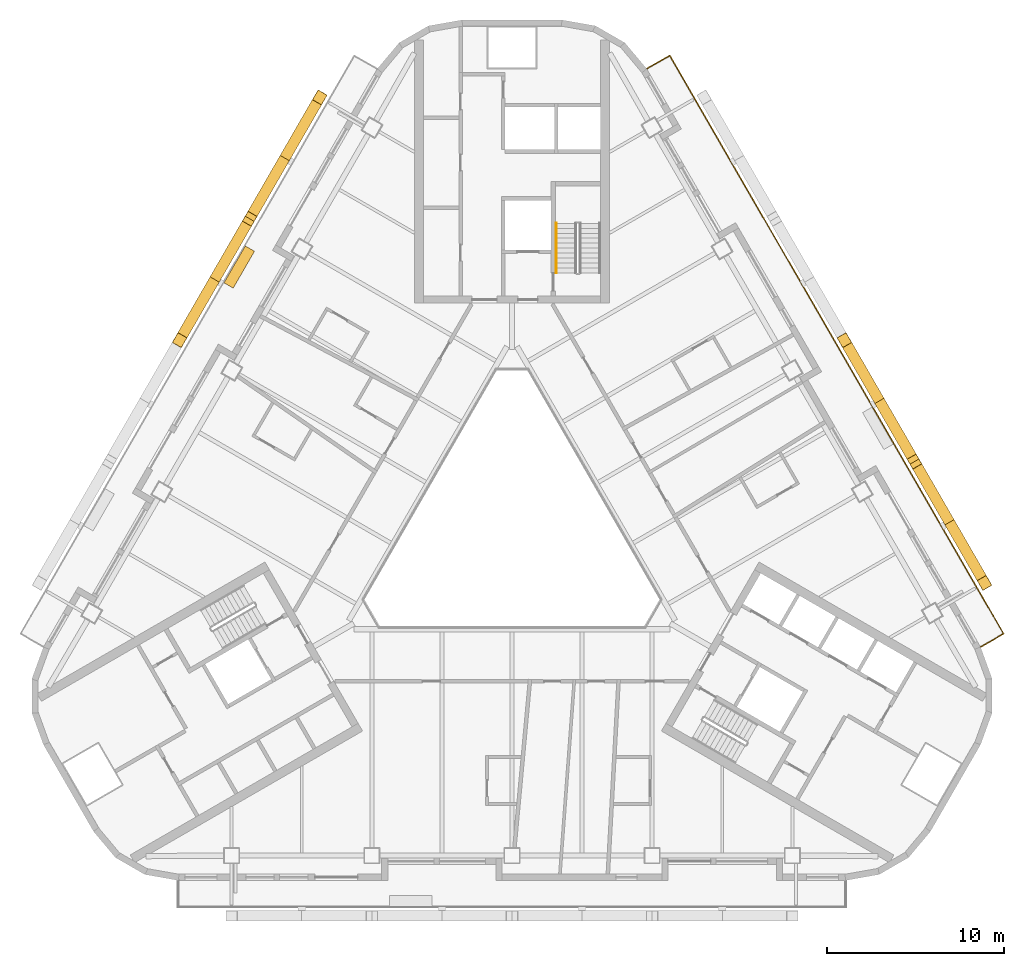
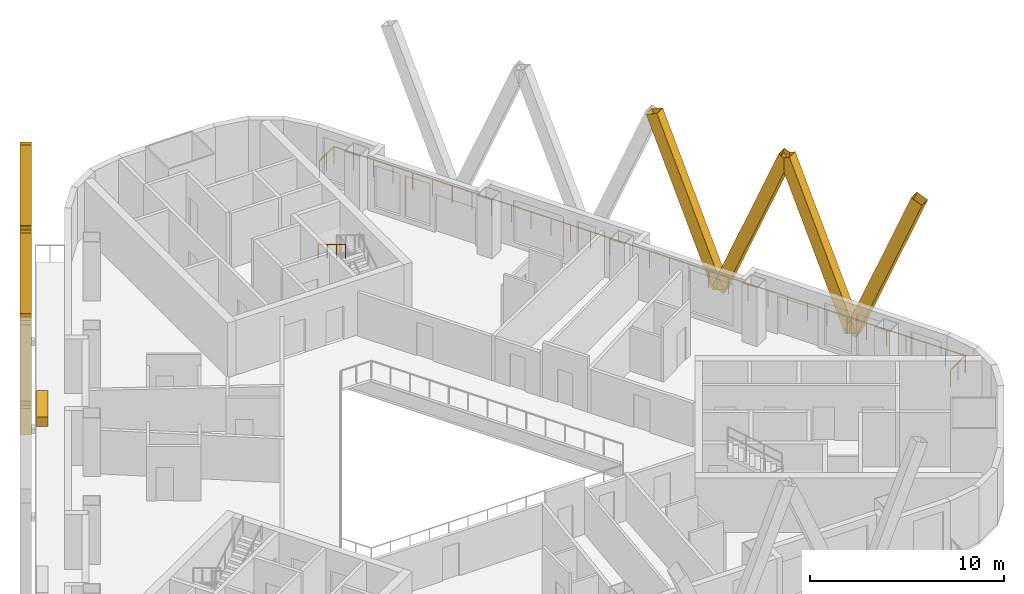
# One storey, part 12 of 13: 8 shading devices, 2 railings, 1 covering.
"""IFC4 building model written with IfcOpenShell, lengths in metres."""

import ifcopenshell
import ifcopenshell.guid

model = None  # the IFC model being written
_history = None  # IfcOwnerHistory: only IFC2X3 demands one
_inside = {}  # id of a spatial element -> (the spatial element, [elements in it])
_under = {}  # id of a project, library or spatial element -> (it, [spatial elements below it])
_declared = {}  # id of a project -> (the project, [libraries it declares])
_typed = {}  # id of a type object -> (the type object, [elements of that type])
_made_of = {}  # id of a material, layer set ... -> (it, [elements and type objects made of it])


def new_model(schema):
    """Start an empty IFC model of exactly this schema.

    Asked for "IFC4X3", IfcOpenShell would pick the latest addendum, in which some entities
    have other attributes; the version numbers below select the first issue.
    IFC2X3 requires an IfcOwnerHistory on every rooted entity: one is made here for all.
    """
    global model, _history
    if schema == "IFC4X3":
        model = ifcopenshell.file(schema_version=(4, 3, 0, 0))
    else:
        model = ifcopenshell.file(schema=schema)
    _inside.clear()
    _under.clear()
    _declared.clear()
    _typed.clear()
    _made_of.clear()
    _history = None
    if model.schema == "IFC2X3":
        org = make("IfcOrganization", Name="unknown")
        user = make(
            "IfcPersonAndOrganization",
            ThePerson=make("IfcPerson", FamilyName="unknown"),
            TheOrganization=org,
        )
        app = make(
            "IfcApplication",
            ApplicationDeveloper=org,
            Version="unknown",
            ApplicationFullName="unknown",
            ApplicationIdentifier="unknown",
        )
        _history = make(
            "IfcOwnerHistory",
            OwningUser=user,
            OwningApplication=app,
            ChangeAction="ADDED",
            CreationDate=0,
        )
    return model


def make(cls, **values):
    """One entity of the class cls with the attributes given. An attribute that is None is left unset."""
    return model.create_entity(
        cls, **{name: value for name, value in values.items() if value is not None}
    )


def rooted(cls, **values):
    """An entity with a GlobalId (a new one), such as an element, a storey or a relation."""
    return make(cls, GlobalId=ifcopenshell.guid.new(), OwnerHistory=_history, **values)


def si_unit(unit_type, name, prefix=None):
    """IfcSIUnit, for example si_unit("LENGTHUNIT", "METRE", prefix="MILLI")."""
    return make("IfcSIUnit", UnitType=unit_type, Prefix=prefix, Name=name)


def assignment(units):
    """IfcUnitAssignment: the units of a project."""
    return None if units is None else make("IfcUnitAssignment", Units=units)


def point(xyz):
    """IfcCartesianPoint."""
    return None if xyz is None else make("IfcCartesianPoint", Coordinates=xyz)


def direction(xyz):
    """IfcDirection."""
    return None if xyz is None else make("IfcDirection", DirectionRatios=xyz)


def frame(location, z_axis=None, x_axis=None):
    """IfcAxis2Placement3D, a coordinate frame: its origin and axes. An axis left out is left unset."""
    return make(
        "IfcAxis2Placement3D",
        Location=point(location),
        Axis=direction(z_axis),
        RefDirection=direction(x_axis),
    )


def frame_2d(location, x_axis=None):
    """IfcAxis2Placement2D, a coordinate frame in the plane: its origin and x axis."""
    return make(
        "IfcAxis2Placement2D", Location=point(location), RefDirection=direction(x_axis)
    )


def origin():
    """The frame at (0, 0, 0) with its axes left unset."""
    return frame((0.0, 0.0, 0.0))


def origin_2d():
    """The frame at (0, 0) in the plane with its x axis left unset."""
    return frame_2d((0.0, 0.0))


def place(relative_to, where):
    """IfcLocalPlacement: puts the frame where relative to a parent placement (None: the world)."""
    return make(
        "IfcLocalPlacement", PlacementRelTo=relative_to, RelativePlacement=where
    )


def context(
    kind, dimensions, precision=None, world=None, true_north=None, identifier=None
):
    """IfcGeometricRepresentationContext, for example the 3D "Model" context."""
    return make(
        "IfcGeometricRepresentationContext",
        ContextIdentifier=identifier,
        ContextType=kind,
        CoordinateSpaceDimension=dimensions,
        Precision=precision,
        WorldCoordinateSystem=world,
        TrueNorth=true_north,
    )


def subcontext(parent, identifier, kind, view, scale=None):
    """IfcGeometricRepresentationSubContext, for example "Body" below "Model"."""
    return make(
        "IfcGeometricRepresentationSubContext",
        ContextIdentifier=identifier,
        ContextType=kind,
        ParentContext=parent,
        TargetScale=scale,
        TargetView=view,
    )


def project(units=None, contexts=None):
    """IfcProject with its units and contexts."""
    return rooted(
        "IfcProject",
        Name="project",
        RepresentationContexts=contexts,
        UnitsInContext=assignment(units),
    )


def spatial(cls, under=None, at=None, **own):
    """A site, building, storey or space (cls), placed at a placement, below another one or the project."""
    s = rooted(cls, ObjectPlacement=at, **own)
    if under is not None:
        _under.setdefault(under.id(), (under, []))[1].append(s)
    return s


def profile(cls, at=None, kind="AREA", **sizes):
    """A parametric profile (cls). Its sizes go by their IFC names, for example OverallWidth=200.0."""
    return make(cls, ProfileType=kind, Position=at, **sizes)


def rectangle(**sizes):
    """IfcRectangleProfileDef."""
    return profile("IfcRectangleProfileDef", **sizes)


def hollow_rectangle(**sizes):
    """IfcRectangleHollowProfileDef."""
    return profile("IfcRectangleHollowProfileDef", **sizes)


def circle(**sizes):
    """IfcCircleProfileDef."""
    return profile("IfcCircleProfileDef", **sizes)


def extrude(swept, where, along, depth):
    """IfcExtrudedAreaSolid: the profile swept, set in the frame where, extruded along a direction by depth."""
    return make(
        "IfcExtrudedAreaSolid",
        SweptArea=swept,
        Position=where,
        ExtrudedDirection=direction(along),
        Depth=depth,
    )


def shape(context_of_items, identifier, shape_type, items):
    """IfcShapeRepresentation: the items that make up one representation, for example the "Body"."""
    return make(
        "IfcShapeRepresentation",
        ContextOfItems=context_of_items,
        RepresentationIdentifier=identifier,
        RepresentationType=shape_type,
        Items=items,
    )


def material(Name=None, Category=None):
    """IfcMaterial."""
    return make("IfcMaterial", Name=Name, Category=Category)


def material_profile(
    of_material, cross_section, Name=None, Category=None, Priority=None
):
    """IfcMaterialProfile: a cross section and its material."""
    return make(
        "IfcMaterialProfile",
        Name=Name,
        Material=of_material,
        Profile=cross_section,
        Priority=Priority,
        Category=Category,
    )


def profile_set(profiles, Name=None, composite=None):
    """IfcMaterialProfileSet."""
    return make(
        "IfcMaterialProfileSet",
        Name=Name,
        MaterialProfiles=profiles,
        CompositeProfile=composite,
    )


def made_of(thing, what):
    """Note that an element or type object is made of a material, layer set ...; save() writes the relation."""
    if what is not None:
        _made_of.setdefault(what.id(), (what, []))[1].append(thing)
    return thing


def type_object(cls, material=None, **own):
    """A type object (cls), such as IfcWallType, which elements share."""
    return made_of(rooted(cls, **own), material)


def element(
    cls,
    number,
    at=None,
    inside=None,
    cuts=None,
    type_object=None,
    material=None,
    context=None,
    identifier="Body",
    shape_type=None,
    held_by="IfcProductDefinitionShape",
    body=None,
    shapes=None,
    **own,
):
    """One element of the class cls, such as IfcWall. Its Tag is "e" and its number.

    at: its placement. inside: the storey or other place that contains it. cuts: it is an
    opening in that element (IfcRelVoidsElement). A single representation is given by context,
    identifier, shape_type and body (its items); several are given by shapes. held_by: the class
    of the entity that holds the representations. save() writes the other relations.
    """
    e = rooted(cls, Tag="e%d" % number, ObjectPlacement=at, **own)
    if body is not None:
        shapes = [shape(context, identifier, shape_type, body)]
    if shapes is not None:
        e.Representation = make(held_by, Representations=shapes)
    if inside is not None:
        _inside.setdefault(inside.id(), (inside, []))[1].append(e)
    if cuts is not None:
        rooted(
            "IfcRelVoidsElement", RelatingBuildingElement=cuts, RelatedOpeningElement=e
        )
    if type_object is not None:
        _typed.setdefault(type_object.id(), (type_object, []))[1].append(e)
    return made_of(e, material)


def aggregate(whole, parts):
    """IfcRelAggregates: a whole, such as a stair, and the parts it consists of."""
    return rooted("IfcRelAggregates", RelatingObject=whole, RelatedObjects=parts)


def save(model, path):
    """Write the relations noted so far, then the file.

    IfcRelAggregates (storeys below a building ...), IfcRelContainedInSpatialStructure (elements
    in a storey), IfcRelDefinesByType, IfcRelAssociatesMaterial and IfcRelDeclares: one each for
    every whole, place, type object, material and project.
    """
    for whole, parts in _under.values():
        aggregate(whole, parts)
    for where, things in _inside.values():
        rooted(
            "IfcRelContainedInSpatialStructure",
            RelatedElements=things,
            RelatingStructure=where,
        )
    for kind, things in _typed.values():
        rooted("IfcRelDefinesByType", RelatedObjects=things, RelatingType=kind)
    for what, things in _made_of.values():
        rooted("IfcRelAssociatesMaterial", RelatedObjects=things, RelatingMaterial=what)
    for by, libraries in _declared.values():
        rooted("IfcRelDeclares", RelatingContext=by, RelatedDefinitions=libraries)
    model.write(path)


model = new_model("IFC4")

# Units and contexts
model_context = context("Model", 3, precision=1e-05, world=origin(), true_north=direction((0.0, 1.0)))
body_context = subcontext(model_context, "Body", "Model", "MODEL_VIEW")
ifc_project = project(units=[si_unit("LENGTHUNIT", "METRE"), si_unit("AREAUNIT", "SQUARE_METRE"), si_unit("VOLUMEUNIT", "CUBIC_METRE"), si_unit("PLANEANGLEUNIT", "RADIAN"), si_unit("MASSUNIT", "GRAM", prefix="KILO")], contexts=[model_context])

# Site, building, storey
site_placement = place(None, origin())
site = spatial("IfcSite", under=ifc_project, at=site_placement, CompositionType="ELEMENT")
building_placement = place(site_placement, origin())
building = spatial("IfcBuilding", under=site, at=building_placement, Name="Apuvela Tower Hotel", CompositionType="ELEMENT")
storey_placement = place(building_placement, frame((0.0, 0.0, 127.89990234375)))
storey = spatial("IfcBuildingStorey", under=building, at=storey_placement, Name="L30", CompositionType="ELEMENT", Elevation=127.89990234375)

# Railing
ifc_material_1 = material(Name="Stainless steel 316 handrail", Category="steel")
railing_type_1 = type_object("IfcRailingType", Name="COR-HANDRAIL-900", PredefinedType="HANDRAIL", material=ifc_material_1)
railing_1_placement = place(storey_placement, frame((2.5, 17.39990234375, 2.018310546875)))
element("IfcRailing", 1, at=railing_1_placement, inside=storey, type_object=railing_type_1, Name="L30 ST1 stair handrail 2", PredefinedType="HANDRAIL", context=body_context, shape_type="SweptSolid", body=[
    extrude(circle(Radius=0.02392578125, at=origin_2d()), frame((0.0, 0.0, 0.8759765625), z_axis=(0.0, -0.857222391501, 0.514946377315), x_axis=(1.0, 0.0, 0.0)), (0.0, 0.0, 1.0), 3.26611328125),
    extrude(rectangle(XDim=0.0419921875, YDim=0.0419921875, at=origin_2d()), origin(), (0.0, 0.0, 1.0), 0.851806640625),
    extrude(rectangle(XDim=0.0419921875, YDim=0.0419921875, at=origin_2d()), frame((0.0, -0.933349609375, 0.560546875)), (0.0, 0.0, 1.0), 0.851806640625),
    extrude(rectangle(XDim=0.0419921875, YDim=0.0419921875, at=origin_2d()), frame((0.0, -1.866455078125, 1.121337890625)), (0.0, 0.0, 1.0), 0.851806640625),
    extrude(rectangle(XDim=0.0419921875, YDim=0.0419921875, at=origin_2d()), frame((0.0, -2.7998046875, 1.681884765625)), (0.0, 0.0, 1.0), 0.851806640625),
])

# Shading devices
ifc_material_2 = material(Name="Aluminium 6063-T6, black anodised", Category="aluminium")
ifc_material_profile = material_profile(ifc_material_2, hollow_rectangle(XDim=0.60009765625, YDim=0.699951171875, WallThickness=0.011962890625, at=origin_2d()), Name="AL BOX 700x600x12")
ifc_profile_set = profile_set([ifc_material_profile], Name="Aluminium 6063-T6, black anodised")
shading_device_type = type_object("IfcShadingDeviceType", Name="ENV-FIN-700x600", PredefinedType="USERDEFINED", material=ifc_profile_set)
for number, where, z_axis, x_axis, name in (
    (2, (24.656982421875, 0.552490234375, -0.099853515625), (0.188583284704, -0.326605735721, 0.926156054952), (0.866005453737, 0.500034552904, 0.0), "Lattice fin NE233"),
    (3, (24.656982421875, 0.552490234375, -0.099853515625), (-0.188559367267, 0.32662799532, 0.926153074653), (-0.866047669374, -0.499961432884, 0.0), "Lattice fin NE234"),
    (4, (20.70703125, 7.394287109375, -0.099853515625), (0.188581848909, -0.32662655957, 0.926149003587), (0.866020906874, 0.500007788796, 0.0), "Lattice fin NE235"),
    (5, (20.70703125, 7.394287109375, -0.099853515625), (-0.188560802902, 0.326607171401, 0.926160126111), (-0.866032218625, -0.499988196164, 0.0), "Lattice fin NE236"),
    (6, (-12.80712890625, 21.077392578125, -0.099853515625), (0.188581848909, 0.32662655957, 0.926149003587), (-0.866020906874, 0.500007788796, 0.0), "Lattice fin NW281"),
    (7, (-12.80712890625, 21.077392578125, -0.099853515625), (-0.188559367267, -0.32662799532, 0.926153074653), (0.866047669374, -0.499961432884, 0.0), "Lattice fin NW282"),
    (8, (-16.757080078125, 14.23583984375, -0.099853515625), (0.188583284704, 0.326605735721, 0.926156054952), (-0.866005453737, 0.500034552904, 0.0), "Lattice fin NW283"),
    (9, (-16.757080078125, 14.23583984375, -0.099853515625), (-0.188581848909, -0.32662655957, 0.926149003587), (0.866020906874, -0.500007788796, 0.0), "Lattice fin NW284"),
):
    element("IfcShadingDevice", number, at=place(storey_placement, frame(where, z_axis=z_axis, x_axis=x_axis)), inside=storey, type_object=shading_device_type, Name=name, ObjectType="FIN", PredefinedType="USERDEFINED", context=body_context, shape_type="SweptSolid", body=[
        extrude(hollow_rectangle(XDim=0.60009765625, YDim=0.699951171875, WallThickness=0.011962890625, at=origin_2d()), origin(), (0.0, 0.0, 1.0), 10.473388671875),
    ])

# Railing
ifc_material_3 = material(Name="Stainless steel 316 rail with laminated glass infill", Category="steel")
railing_type_2 = type_object("IfcRailingType", Name="ENV-GUARD-1100", PredefinedType="GUARDRAIL", material=ifc_material_3)
railing_2_placement = place(storey_placement, frame((26.407958984375, -6.47998046875, 0.0)))
element("IfcRailing", 10, at=railing_2_placement, inside=storey, type_object=railing_type_2, Name="Balcony guard NE L30", PredefinedType="GUARDRAIL", context=body_context, shape_type="SweptSolid", body=[
    extrude(rectangle(XDim=0.050048828125, YDim=0.050048828125, at=origin_2d()), frame((0.0, 0.0, 1.0751953125), z_axis=(0.866031096941, 0.499990139034, 0.0), x_axis=(-0.499990139034, 0.866031096941, 0.0)), (0.0, 0.0, 1.0), 1.5),
    extrude(rectangle(XDim=0.050048828125, YDim=0.050048828125, at=origin_2d()), frame((1.299072265625, 0.75, 1.0751953125), z_axis=(-0.500000437506, 0.86602515119, 0.0), x_axis=(-0.86602515119, -0.500000437506, 0.0)), (0.0, 0.0, 1.0), 37.6318359375),
    extrude(rectangle(XDim=0.050048828125, YDim=0.050048828125, at=origin_2d()), frame((-17.516845703125, 33.340087890625, 1.0751953125), z_axis=(-0.86599040064, -0.500060622324, 0.0), x_axis=(0.500060622324, -0.86599040064, 0.0)), (0.0, 0.0, 1.0), 1.499755859375),
    extrude(rectangle(XDim=0.0400390625, YDim=0.0400390625, at=origin_2d()), origin(), (0.0, 0.0, 1.0), 1.050048828125),
    extrude(rectangle(XDim=0.0400390625, YDim=0.0400390625, at=origin_2d()), frame((0.6494140625, 0.375, 0.0)), (0.0, 0.0, 1.0), 1.050048828125),
    extrude(rectangle(XDim=0.0400390625, YDim=0.0400390625, at=origin_2d()), frame((1.299072265625, 0.75, 0.0)), (0.0, 0.0, 1.0), 1.050048828125),
    extrude(rectangle(XDim=0.0400390625, YDim=0.0400390625, at=origin_2d()), frame((0.711181640625, 1.7685546875, 0.0)), (0.0, 0.0, 1.0), 1.050048828125),
    extrude(rectangle(XDim=0.0400390625, YDim=0.0400390625, at=origin_2d()), frame((0.123046875, 2.786865234375, 0.0)), (0.0, 0.0, 1.0), 1.050048828125),
    extrude(rectangle(XDim=0.0400390625, YDim=0.0400390625, at=origin_2d()), frame((-0.46484375, 3.805419921875, 0.0)), (0.0, 0.0, 1.0), 1.050048828125),
    extrude(rectangle(XDim=0.0400390625, YDim=0.0400390625, at=origin_2d()), frame((-1.052978515625, 4.82373046875, 0.0)), (0.0, 0.0, 1.0), 1.050048828125),
    extrude(rectangle(XDim=0.0400390625, YDim=0.0400390625, at=origin_2d()), frame((-1.640869140625, 5.84228515625, 0.0)), (0.0, 0.0, 1.0), 1.050048828125),
    extrude(rectangle(XDim=0.0400390625, YDim=0.0400390625, at=origin_2d()), frame((-2.22900390625, 6.860595703125, 0.0)), (0.0, 0.0, 1.0), 1.050048828125),
    extrude(rectangle(XDim=0.0400390625, YDim=0.0400390625, at=origin_2d()), frame((-2.81689453125, 7.879150390625, 0.0)), (0.0, 0.0, 1.0), 1.050048828125),
    extrude(rectangle(XDim=0.0400390625, YDim=0.0400390625, at=origin_2d()), frame((-3.40478515625, 8.8974609375, 0.0)), (0.0, 0.0, 1.0), 1.050048828125),
    extrude(rectangle(XDim=0.0400390625, YDim=0.0400390625, at=origin_2d()), frame((-3.992919921875, 9.916015625, 0.0)), (0.0, 0.0, 1.0), 1.050048828125),
    extrude(rectangle(XDim=0.0400390625, YDim=0.0400390625, at=origin_2d()), frame((-4.580810546875, 10.934326171875, 0.0)), (0.0, 0.0, 1.0), 1.050048828125),
    extrude(rectangle(XDim=0.0400390625, YDim=0.0400390625, at=origin_2d()), frame((-5.1689453125, 11.952880859375, 0.0)), (0.0, 0.0, 1.0), 1.050048828125),
    extrude(rectangle(XDim=0.0400390625, YDim=0.0400390625, at=origin_2d()), frame((-5.7568359375, 12.97119140625, 0.0)), (0.0, 0.0, 1.0), 1.050048828125),
    extrude(rectangle(XDim=0.0400390625, YDim=0.0400390625, at=origin_2d()), frame((-6.344970703125, 13.98974609375, 0.0)), (0.0, 0.0, 1.0), 1.050048828125),
    extrude(rectangle(XDim=0.0400390625, YDim=0.0400390625, at=origin_2d()), frame((-6.932861328125, 15.008056640625, 0.0)), (0.0, 0.0, 1.0), 1.050048828125),
    extrude(rectangle(XDim=0.0400390625, YDim=0.0400390625, at=origin_2d()), frame((-7.52099609375, 16.026611328125, 0.0)), (0.0, 0.0, 1.0), 1.050048828125),
    extrude(rectangle(XDim=0.0400390625, YDim=0.0400390625, at=origin_2d()), frame((-8.10888671875, 17.044921875, 0.0)), (0.0, 0.0, 1.0), 1.050048828125),
    extrude(rectangle(XDim=0.0400390625, YDim=0.0400390625, at=origin_2d()), frame((-8.69677734375, 18.0634765625, 0.0)), (0.0, 0.0, 1.0), 1.050048828125),
    extrude(rectangle(XDim=0.0400390625, YDim=0.0400390625, at=origin_2d()), frame((-9.284912109375, 19.08203125, 0.0)), (0.0, 0.0, 1.0), 1.050048828125),
    extrude(rectangle(XDim=0.0400390625, YDim=0.0400390625, at=origin_2d()), frame((-9.872802734375, 20.100341796875, 0.0)), (0.0, 0.0, 1.0), 1.050048828125),
    extrude(rectangle(XDim=0.0400390625, YDim=0.0400390625, at=origin_2d()), frame((-10.4609375, 21.118896484375, 0.0)), (0.0, 0.0, 1.0), 1.050048828125),
    extrude(rectangle(XDim=0.0400390625, YDim=0.0400390625, at=origin_2d()), frame((-11.048828125, 22.13720703125, 0.0)), (0.0, 0.0, 1.0), 1.050048828125),
    extrude(rectangle(XDim=0.0400390625, YDim=0.0400390625, at=origin_2d()), frame((-11.636962890625, 23.15576171875, 0.0)), (0.0, 0.0, 1.0), 1.050048828125),
    extrude(rectangle(XDim=0.0400390625, YDim=0.0400390625, at=origin_2d()), frame((-12.224853515625, 24.174072265625, 0.0)), (0.0, 0.0, 1.0), 1.050048828125),
    extrude(rectangle(XDim=0.0400390625, YDim=0.0400390625, at=origin_2d()), frame((-12.81298828125, 25.192626953125, 0.0)), (0.0, 0.0, 1.0), 1.050048828125),
    extrude(rectangle(XDim=0.0400390625, YDim=0.0400390625, at=origin_2d()), frame((-13.40087890625, 26.2109375, 0.0)), (0.0, 0.0, 1.0), 1.050048828125),
    extrude(rectangle(XDim=0.0400390625, YDim=0.0400390625, at=origin_2d()), frame((-13.98876953125, 27.2294921875, 0.0)), (0.0, 0.0, 1.0), 1.050048828125),
    extrude(rectangle(XDim=0.0400390625, YDim=0.0400390625, at=origin_2d()), frame((-14.576904296875, 28.247802734375, 0.0)), (0.0, 0.0, 1.0), 1.050048828125),
    extrude(rectangle(XDim=0.0400390625, YDim=0.0400390625, at=origin_2d()), frame((-15.164794921875, 29.266357421875, 0.0)), (0.0, 0.0, 1.0), 1.050048828125),
    extrude(rectangle(XDim=0.0400390625, YDim=0.0400390625, at=origin_2d()), frame((-15.7529296875, 30.28466796875, 0.0)), (0.0, 0.0, 1.0), 1.050048828125),
    extrude(rectangle(XDim=0.0400390625, YDim=0.0400390625, at=origin_2d()), frame((-16.3408203125, 31.30322265625, 0.0)), (0.0, 0.0, 1.0), 1.050048828125),
    extrude(rectangle(XDim=0.0400390625, YDim=0.0400390625, at=origin_2d()), frame((-16.928955078125, 32.321533203125, 0.0)), (0.0, 0.0, 1.0), 1.050048828125),
    extrude(rectangle(XDim=0.0400390625, YDim=0.0400390625, at=origin_2d()), frame((-17.516845703125, 33.340087890625, 0.0)), (0.0, 0.0, 1.0), 1.050048828125),
    extrude(rectangle(XDim=0.0400390625, YDim=0.0400390625, at=origin_2d()), frame((-18.166259765625, 32.965087890625, 0.0)), (0.0, 0.0, 1.0), 1.050048828125),
    extrude(rectangle(XDim=0.0400390625, YDim=0.0400390625, at=origin_2d()), frame((-18.815673828125, 32.590087890625, 0.0)), (0.0, 0.0, 1.0), 1.050048828125),
])

# Covering
ifc_material_4 = material(Name="Planting substrate and soil, planted")
covering_type = type_object("IfcCoveringType", Name="ENV-PLANTER-2400x600", PredefinedType="USERDEFINED", material=ifc_material_4)
covering_placement = place(storey_placement, frame((-15.37109375, 14.936767578125, 0.0), z_axis=(0.0, 0.0, 1.0), x_axis=(-0.5, -0.866025403784, 0.0)))
element("IfcCovering", 11, at=covering_placement, inside=storey, type_object=covering_type, Name="Planter NW3", ObjectType="PLANTER", PredefinedType="USERDEFINED", context=body_context, shape_type="SweptSolid", body=[
    extrude(rectangle(XDim=2.39990234375, YDim=0.60009765625, at=origin_2d()), origin(), (0.0, 0.0, 1.0), 0.60009765625),
])

save(model, "model.ifc")
